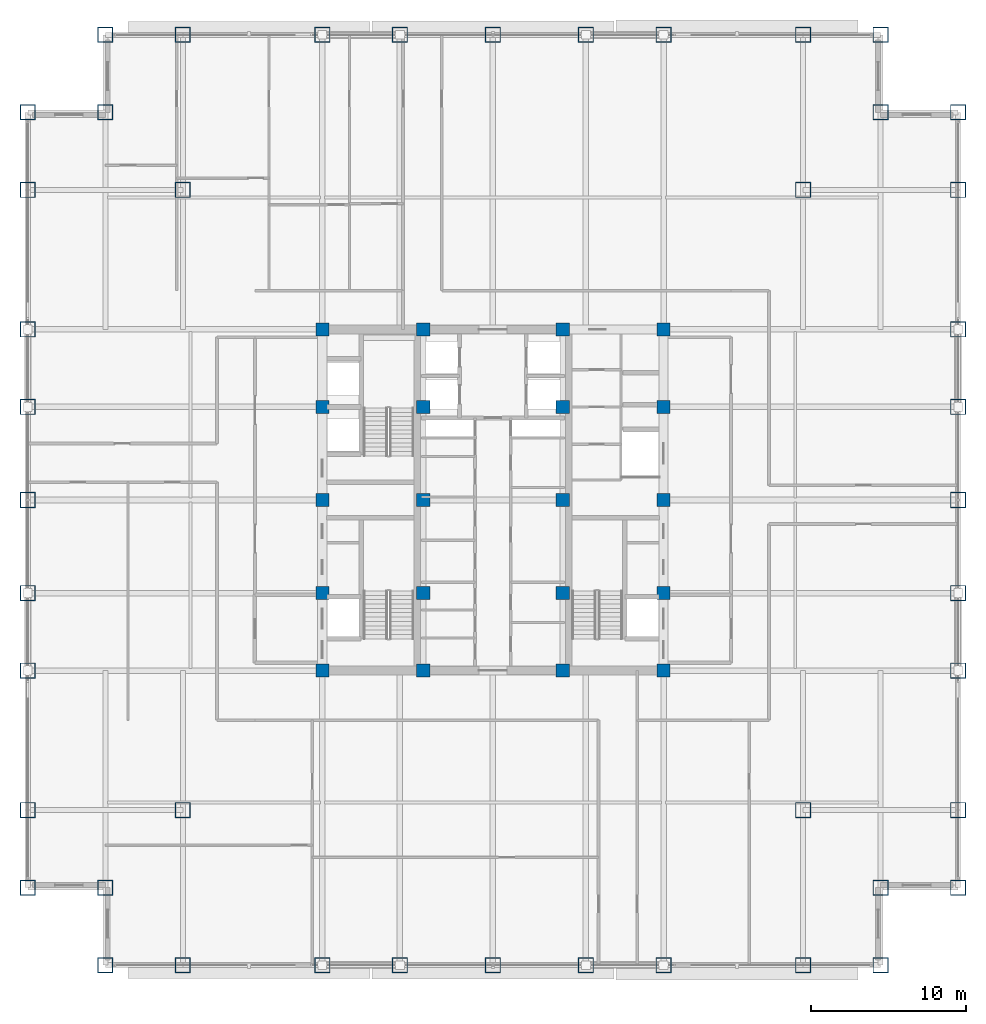
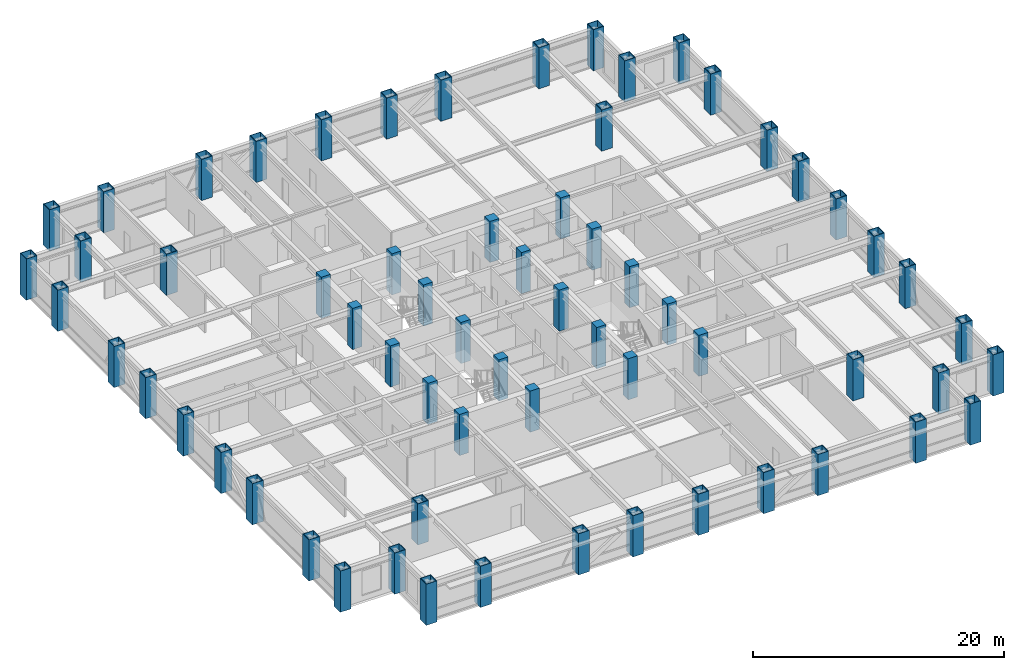
# One storey, part 1 of 29: 64 columns.
"""IFC4 building model written with IfcOpenShell, lengths in metres."""

from ifc_helpers import new_model, si_unit, direction, frame, origin, origin_2d, place, context, subcontext, project, spatial, rectangle, hollow_rectangle, extrude, source, transform, mapped, material, material_profile, profile_set, type_object, element, save


model = new_model("IFC4")

# Units and contexts
model_context = context("Model", 3, precision=1e-05, world=origin(), true_north=direction((0.0, 1.0)))
body_context = subcontext(model_context, "Body", "Model", "MODEL_VIEW")
ifc_project = project(units=[si_unit("LENGTHUNIT", "METRE"), si_unit("AREAUNIT", "SQUARE_METRE"), si_unit("VOLUMEUNIT", "CUBIC_METRE"), si_unit("PLANEANGLEUNIT", "RADIAN"), si_unit("MASSUNIT", "GRAM", prefix="KILO")], contexts=[model_context])

# Site, building, storey
site_placement = place(None, origin())
site = spatial("IfcSite", under=ifc_project, at=site_placement, CompositionType="ELEMENT")
building_placement = place(site_placement, origin())
building = spatial("IfcBuilding", under=site, at=building_placement, Name="Khorayat Bourse Tower", CompositionType="ELEMENT")
storey_placement = place(building_placement, frame((0.0, 0.0, 239.10009765625)))
storey = spatial("IfcBuildingStorey", under=building, at=storey_placement, Name="L56", CompositionType="ELEMENT", Elevation=239.10009765625)

# Columns
ifc_material_1 = material(Name="Concrete C60/75", Category="concrete")
ifc_material_profile_1 = material_profile(ifc_material_1, rectangle(XDim=0.85009765625, YDim=0.85009765625, at=origin_2d()), Name="RC 850x850")
ifc_profile_set_1 = profile_set([ifc_material_profile_1], Name="Concrete C60/75")
column_type_1 = type_object("IfcColumnType", Name="COL-CORE-850", PredefinedType="COLUMN", material=ifc_profile_set_1)
shared_shape_1 = source(origin(), body_context, "Body", "SweptSolid", [
    extrude(rectangle(XDim=0.85009765625, YDim=0.85009765625, at=origin_2d()), origin(), (0.0, 0.0, 1.0), 4.0),
])
for number, where, z_axis, x_axis, name in (
    (1, (-11.0, -11.0, 0.0), (0.0, 0.0, 1.0), (1.0, 0.0, 0.0), "L56 Column 019"),
    (2, (-11.0, -6.0, 0.0), (0.0, 0.0, 1.0), (1.0, 0.0, 0.0), "L56 Column 020"),
    (3, (-11.0, 0.0, 0.0), (0.0, 0.0, 1.0), (1.0, 0.0, 0.0), "L56 Column 021"),
    (4, (-11.0, 6.0, 0.0), (0.0, 0.0, 1.0), (1.0, 0.0, 0.0), "L56 Column 022"),
    (5, (-11.0, 11.0, 0.0), (0.0, 0.0, 1.0), (1.0, 0.0, 0.0), "L56 Column 023"),
    (6, (-4.5, -11.0, 0.0), (0.0, 0.0, 1.0), (1.0, 0.0, 0.0), "L56 Column 027"),
    (7, (-4.5, -6.0, 0.0), (0.0, 0.0, 1.0), (1.0, 0.0, 0.0), "L56 Column 028"),
    (8, (-4.5, 0.0, 0.0), (0.0, 0.0, 1.0), (1.0, 0.0, 0.0), "L56 Column 029"),
    (9, (-4.5, 6.0, 0.0), (0.0, 0.0, 1.0), (1.0, 0.0, 0.0), "L56 Column 030"),
    (10, (-4.5, 11.0, 0.0), (0.0, 0.0, 1.0), (1.0, 0.0, 0.0), "L56 Column 031"),
    (11, (4.5, -11.0, 0.0), (0.0, 0.0, 1.0), (1.0, 0.0, 0.0), "L56 Column 034"),
    (12, (4.5, -6.0, 0.0), (0.0, 0.0, 1.0), (1.0, 0.0, 0.0), "L56 Column 035"),
    (13, (4.5, 0.0, 0.0), (0.0, 0.0, 1.0), (1.0, 0.0, 0.0), "L56 Column 036"),
    (14, (4.5, 6.0, 0.0), (0.0, 0.0, 1.0), (1.0, 0.0, 0.0), "L56 Column 037"),
    (15, (4.5, 11.0, 0.0), (0.0, 0.0, 1.0), (1.0, 0.0, 0.0), "L56 Column 038"),
    (16, (11.0, -11.0, 0.0), (0.0, 0.0, 1.0), (1.0, 0.0, 0.0), "L56 Column 042"),
    (17, (11.0, -6.0, 0.0), (0.0, 0.0, 1.0), (1.0, 0.0, 0.0), "L56 Column 043"),
    (18, (11.0, 0.0, 0.0), (0.0, 0.0, 1.0), (1.0, 0.0, 0.0), "L56 Column 044"),
    (19, (11.0, 6.0, 0.0), (0.0, 0.0, 1.0), (1.0, 0.0, 0.0), "L56 Column 045"),
    (20, (11.0, 11.0, 0.0), (0.0, 0.0, 1.0), (1.0, 0.0, 0.0), "L56 Column 046"),
):
    element("IfcColumn", number, at=place(storey_placement, frame(where, z_axis=z_axis, x_axis=x_axis)), inside=storey, type_object=column_type_1, Name=name, PredefinedType="COLUMN", context=body_context, shape_type="MappedRepresentation", body=[
        mapped(shared_shape_1, transform((0.0, 0.0, 0.0), scale=1.0)),
    ])
ifc_material_2 = material(Name="Steel EN 10025-4 S460M", Category="steel")
ifc_material_profile_2 = material_profile(ifc_material_2, hollow_rectangle(XDim=1.0, YDim=1.0, WallThickness=0.054931640625, at=origin_2d()), Name="BOX 1000x1000x55")
ifc_profile_set_2 = profile_set([ifc_material_profile_2], Name="Steel EN 10025-4 S460M")
column_type_2 = type_object("IfcColumnType", Name="COL-TUBE-1000", PredefinedType="COLUMN", material=ifc_profile_set_2)
shared_shape_2 = source(origin(), body_context, "Body", "SweptSolid", [
    extrude(hollow_rectangle(XDim=1.0, YDim=1.0, WallThickness=0.054931640625, at=origin_2d()), origin(), (0.0, 0.0, 1.0), 4.0),
])
for number, where, z_axis, x_axis, name in (
    (21, (-30.0, -25.0, 0.0), (0.0, 0.0, 1.0), (1.0, 0.0, 0.0), "L56 Column 001"),
    (22, (-30.0, -20.0, 0.0), (0.0, 0.0, 1.0), (1.0, 0.0, 0.0), "L56 Column 002"),
    (23, (-30.0, -11.0, 0.0), (0.0, 0.0, 1.0), (1.0, 0.0, 0.0), "L56 Column 003"),
    (24, (-30.0, -6.0, 0.0), (0.0, 0.0, 1.0), (1.0, 0.0, 0.0), "L56 Column 004"),
    (25, (-30.0, 0.0, 0.0), (0.0, 0.0, 1.0), (1.0, 0.0, 0.0), "L56 Column 005"),
    (26, (-30.0, 6.0, 0.0), (0.0, 0.0, 1.0), (1.0, 0.0, 0.0), "L56 Column 006"),
    (27, (-30.0, 11.0, 0.0), (0.0, 0.0, 1.0), (1.0, 0.0, 0.0), "L56 Column 007"),
    (28, (-30.0, 20.0, 0.0), (0.0, 0.0, 1.0), (1.0, 0.0, 0.0), "L56 Column 008"),
    (29, (-30.0, 25.0, 0.0), (0.0, 0.0, 1.0), (1.0, 0.0, 0.0), "L56 Column 009"),
    (30, (-25.0, -30.0, 0.0), (0.0, 0.0, 1.0), (1.0, 0.0, 0.0), "L56 Column 010"),
    (31, (-25.0, -25.0, 0.0), (0.0, 0.0, 1.0), (1.0, 0.0, 0.0), "L56 Column 011"),
    (32, (-25.0, 25.0, 0.0), (0.0, 0.0, 1.0), (1.0, 0.0, 0.0), "L56 Column 012"),
    (33, (-25.0, 30.0, 0.0), (0.0, 0.0, 1.0), (1.0, 0.0, 0.0), "L56 Column 013"),
    (34, (-20.0, -30.0, 0.0), (0.0, 0.0, 1.0), (1.0, 0.0, 0.0), "L56 Column 014"),
    (35, (-20.0, -20.0, 0.0), (0.0, 0.0, 1.0), (1.0, 0.0, 0.0), "L56 Column 015"),
    (36, (-20.0, 20.0, 0.0), (0.0, 0.0, 1.0), (1.0, 0.0, 0.0), "L56 Column 016"),
    (37, (-20.0, 30.0, 0.0), (0.0, 0.0, 1.0), (1.0, 0.0, 0.0), "L56 Column 017"),
    (38, (-11.0, -30.0, 0.0), (0.0, 0.0, 1.0), (1.0, 0.0, 0.0), "L56 Column 018"),
    (39, (-11.0, 30.0, 0.0), (0.0, 0.0, 1.0), (1.0, 0.0, 0.0), "L56 Column 024"),
    (40, (-6.0, -30.0, 0.0), (0.0, 0.0, 1.0), (1.0, 0.0, 0.0), "L56 Column 025"),
    (41, (-6.0, 30.0, 0.0), (0.0, 0.0, 1.0), (1.0, 0.0, 0.0), "L56 Column 026"),
    (42, (0.0, -30.0, 0.0), (0.0, 0.0, 1.0), (1.0, 0.0, 0.0), "L56 Column 032"),
    (43, (0.0, 30.0, 0.0), (0.0, 0.0, 1.0), (1.0, 0.0, 0.0), "L56 Column 033"),
    (44, (6.0, -30.0, 0.0), (0.0, 0.0, 1.0), (1.0, 0.0, 0.0), "L56 Column 039"),
    (45, (6.0, 30.0, 0.0), (0.0, 0.0, 1.0), (1.0, 0.0, 0.0), "L56 Column 040"),
    (46, (11.0, -30.0, 0.0), (0.0, 0.0, 1.0), (1.0, 0.0, 0.0), "L56 Column 041"),
    (47, (11.0, 30.0, 0.0), (0.0, 0.0, 1.0), (1.0, 0.0, 0.0), "L56 Column 047"),
    (48, (20.0, -30.0, 0.0), (0.0, 0.0, 1.0), (1.0, 0.0, 0.0), "L56 Column 048"),
    (49, (20.0, -20.0, 0.0), (0.0, 0.0, 1.0), (1.0, 0.0, 0.0), "L56 Column 049"),
    (50, (20.0, 20.0, 0.0), (0.0, 0.0, 1.0), (1.0, 0.0, 0.0), "L56 Column 050"),
    (51, (20.0, 30.0, 0.0), (0.0, 0.0, 1.0), (1.0, 0.0, 0.0), "L56 Column 051"),
    (52, (25.0, -30.0, 0.0), (0.0, 0.0, 1.0), (1.0, 0.0, 0.0), "L56 Column 052"),
    (53, (25.0, -25.0, 0.0), (0.0, 0.0, 1.0), (1.0, 0.0, 0.0), "L56 Column 053"),
    (54, (25.0, 25.0, 0.0), (0.0, 0.0, 1.0), (1.0, 0.0, 0.0), "L56 Column 054"),
    (55, (25.0, 30.0, 0.0), (0.0, 0.0, 1.0), (1.0, 0.0, 0.0), "L56 Column 055"),
    (56, (30.0, -25.0, 0.0), (0.0, 0.0, 1.0), (1.0, 0.0, 0.0), "L56 Column 056"),
    (57, (30.0, -20.0, 0.0), (0.0, 0.0, 1.0), (1.0, 0.0, 0.0), "L56 Column 057"),
    (58, (30.0, -11.0, 0.0), (0.0, 0.0, 1.0), (1.0, 0.0, 0.0), "L56 Column 058"),
    (59, (30.0, -6.0, 0.0), (0.0, 0.0, 1.0), (1.0, 0.0, 0.0), "L56 Column 059"),
    (60, (30.0, 0.0, 0.0), (0.0, 0.0, 1.0), (1.0, 0.0, 0.0), "L56 Column 060"),
    (61, (30.0, 6.0, 0.0), (0.0, 0.0, 1.0), (1.0, 0.0, 0.0), "L56 Column 061"),
    (62, (30.0, 11.0, 0.0), (0.0, 0.0, 1.0), (1.0, 0.0, 0.0), "L56 Column 062"),
    (63, (30.0, 20.0, 0.0), (0.0, 0.0, 1.0), (1.0, 0.0, 0.0), "L56 Column 063"),
    (64, (30.0, 25.0, 0.0), (0.0, 0.0, 1.0), (1.0, 0.0, 0.0), "L56 Column 064"),
):
    element("IfcColumn", number, at=place(storey_placement, frame(where, z_axis=z_axis, x_axis=x_axis)), inside=storey, type_object=column_type_2, Name=name, PredefinedType="COLUMN", context=body_context, shape_type="MappedRepresentation", body=[
        mapped(shared_shape_2, transform((0.0, 0.0, 0.0), scale=1.0)),
    ])

save(model, "model.ifc")
